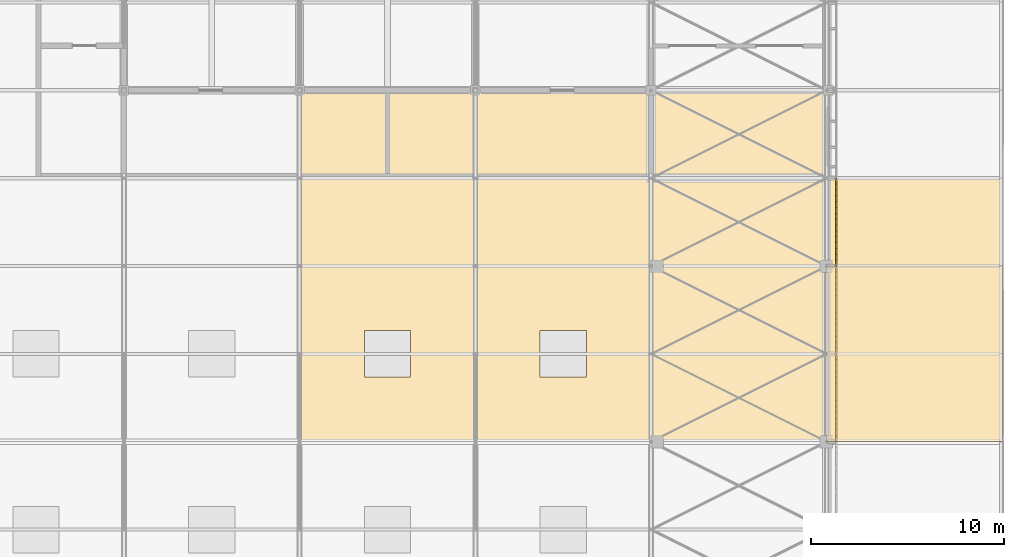
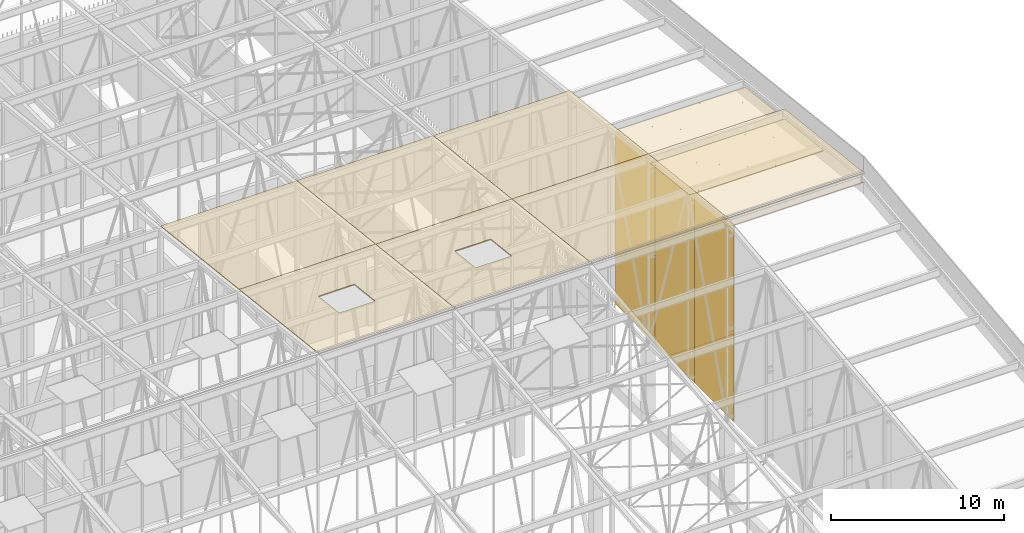
# One storey, part 492 of 500: 10 coverings, 3 shading devices.
"""IFC4 building model written with IfcOpenShell, lengths in metres."""

from ifc_helpers import new_model, si_unit, direction, frame, origin, origin_2d, place, context, subcontext, project, spatial, polyline, rectangle, outline, extrude, material, layer, layer_set, type_object, element, save


model = new_model("IFC4")

# Units and contexts
model_context = context("Model", 3, precision=1e-05, world=origin(), true_north=direction((0.0, 1.0)))
body_context = subcontext(model_context, "Body", "Model", "MODEL_VIEW")
ifc_project = project(units=[si_unit("LENGTHUNIT", "METRE"), si_unit("AREAUNIT", "SQUARE_METRE"), si_unit("VOLUMEUNIT", "CUBIC_METRE"), si_unit("PLANEANGLEUNIT", "RADIAN"), si_unit("MASSUNIT", "GRAM", prefix="KILO")], contexts=[model_context])

# Site, building, storey
site_placement = place(None, origin())
site = spatial("IfcSite", under=ifc_project, at=site_placement, CompositionType="ELEMENT")
building_placement = place(site_placement, origin())
building = spatial("IfcBuilding", under=site, at=building_placement, Name="Shirokan Park Arena", CompositionType="ELEMENT")
storey_placement = place(building_placement, frame((0.0, 0.0, 29.1201171875)))
storey = spatial("IfcBuildingStorey", under=building, at=storey_placement, Name="L06", CompositionType="ELEMENT", Elevation=29.1201171875)

# Coverings
ifc_material_1 = material(Name="Bituminous roofing membrane")
ifc_layer_1 = layer(ifc_material_1, 0.010009765625, Name="Bituminous roofing membrane")
ifc_material_2 = material(Name="Mineral wool insulation")
ifc_layer_2 = layer(ifc_material_2, 0.050048828125, Name="Mineral wool insulation")
ifc_layer_set_1 = layer_set([ifc_layer_1, ifc_layer_2], Name="Bituminous roofing membrane + Mineral wool insulation")
covering_type_1 = type_object("IfcCoveringType", Name="Roofing membrane 60", PredefinedType="ROOFING", material=ifc_layer_set_1)
covering_1_placement = place(storey_placement, frame((118.300048828125, 54.60009765625, 19.170654296875), z_axis=(0.0, 0.113552605302, 0.993531985308), x_axis=(1.0, 0.0, 0.0)))
element("IfcCovering", 1, at=covering_1_placement, inside=storey, type_object=covering_type_1, Name="Roofing", PredefinedType="ROOFING", context=body_context, shape_type="SweptSolid", body=[
    extrude(outline(polyline([(0.0, 0.0), (9.099853515625, 0.0), (9.099853515625, 9.159094674549365), (0.0, 9.159094674549365), (0.0, 0.0)]), holes=[polyline([(5.75, 3.371655970585497), (5.75, 5.7874387039638675), (3.349853515625, 5.7874387039638675), (3.349853515625, 3.371655970585497), (5.75, 3.371655970585497)])]), origin(), (0.0, 0.0, -1.0), 0.06005859375),
])
covering_2_placement = place(storey_placement, frame((118.300048828125, 63.699951171875, 18.130615234375), z_axis=(0.0, 0.113549598152, 0.993532328996), x_axis=(1.0, 0.0, 0.0)))
element("IfcCovering", 2, at=covering_2_placement, inside=storey, type_object=covering_type_1, Name="Roofing", PredefinedType="ROOFING", context=body_context, shape_type="SweptSolid", body=[
    extrude(outline(polyline([(0.0, 0.0), (9.099853515625, 0.0), (9.099853515625, 9.15933723611117), (0.0, 9.15933723611117), (0.0, 0.0)])), origin(), (0.0, 0.0, -1.0), 0.06005859375),
])
covering_3_placement = place(storey_placement, frame((127.39990234375, 54.60009765625, 19.170654296875), z_axis=(0.0, 0.113552605302, 0.993531985308), x_axis=(1.0, 0.0, 0.0)))
element("IfcCovering", 3, at=covering_3_placement, inside=storey, type_object=covering_type_1, Name="Roofing", PredefinedType="ROOFING", context=body_context, shape_type="SweptSolid", body=[
    extrude(outline(polyline([(0.0, 0.0), (9.10009765625, 0.0), (9.10009765625, 9.159094674549367), (0.0, 9.159094674549367), (0.0, 0.0)]), holes=[polyline([(5.75, 3.3716559705854974), (5.75, 5.787438703963868), (3.35009765625, 5.787438703963868), (3.35009765625, 3.3716559705854974), (5.75, 3.3716559705854974)])]), origin(), (0.0, 0.0, -1.0), 0.06005859375),
])
covering_4_placement = place(storey_placement, frame((127.39990234375, 63.699951171875, 18.130615234375), z_axis=(0.0, 0.113549598152, 0.993532328996), x_axis=(1.0, 0.0, 0.0)))
element("IfcCovering", 4, at=covering_4_placement, inside=storey, type_object=covering_type_1, Name="Roofing", PredefinedType="ROOFING", context=body_context, shape_type="SweptSolid", body=[
    extrude(outline(polyline([(0.0, 0.0), (9.10009765625, 0.0), (9.10009765625, 9.15933723611117), (0.0, 9.15933723611117), (0.0, 0.0)])), origin(), (0.0, 0.0, -1.0), 0.06005859375),
])
covering_5_placement = place(storey_placement, frame((136.5, 54.60009765625, 19.170654296875), z_axis=(0.0, 0.113552605302, 0.993531985308), x_axis=(1.0, 0.0, 0.0)))
element("IfcCovering", 5, at=covering_5_placement, inside=storey, type_object=covering_type_1, Name="Roofing", PredefinedType="ROOFING", context=body_context, shape_type="SweptSolid", body=[
    extrude(outline(polyline([(0.0, 0.0), (9.10009765625, 0.0), (9.10009765625, 9.159094674549367), (0.0, 9.159094674549367), (0.0, 0.0)])), origin(), (0.0, 0.0, -1.0), 0.06005859375),
])
covering_6_placement = place(storey_placement, frame((136.5, 63.699951171875, 18.130615234375), z_axis=(0.0, 0.113549598152, 0.993532328996), x_axis=(1.0, 0.0, 0.0)))
element("IfcCovering", 6, at=covering_6_placement, inside=storey, type_object=covering_type_1, Name="Roofing", PredefinedType="ROOFING", context=body_context, shape_type="SweptSolid", body=[
    extrude(outline(polyline([(0.0, 0.0), (9.10009765625, 0.0), (9.10009765625, 9.15933723611117), (0.0, 9.15933723611117), (0.0, 0.0)])), origin(), (0.0, 0.0, -1.0), 0.06005859375),
])
covering_7_placement = place(storey_placement, frame((145.60009765625, 54.60009765625, 19.170654296875), z_axis=(0.0, 0.113552605302, 0.993531985308), x_axis=(1.0, 0.0, 0.0)))
element("IfcCovering", 7, at=covering_7_placement, inside=storey, type_object=covering_type_1, Name="Roofing", PredefinedType="ROOFING", context=body_context, shape_type="SweptSolid", body=[
    extrude(outline(polyline([(0.0, 0.0), (9.099853515625, 0.0), (9.099853515625, 9.159094674549365), (0.0, 9.159094674549365), (0.0, 0.0)])), origin(), (0.0, 0.0, -1.0), 0.06005859375),
])
ifc_material_3 = material(Name="Timber soffit boards (cedar)", Category="wood")
ifc_layer_3 = layer(ifc_material_3, 0.030029296875)
ifc_layer_set_2 = layer_set([ifc_layer_3], Name="Timber soffit boards (cedar) 30 mm")
covering_type_2 = type_object("IfcCoveringType", Name="Timber boarded soffit panel", PredefinedType="CLADDING", material=ifc_layer_set_2)
covering_8_placement = place(storey_placement, origin())
element("IfcCovering", 8, at=covering_8_placement, inside=storey, type_object=covering_type_2, Name="Rake soffit east bay 15", PredefinedType="CLADDING", context=body_context, shape_type="SweptSolid", body=[
    extrude(outline(polyline([(0.0, 0.0), (0.12000000000000455, 0.0), (0.12000000000000455, -4.579617887990218), (0.0, -4.579617887990218), (0.0, 0.0)])), frame((145.846923828125, 54.60009765625, 18.4619140625), z_axis=(0.0, 0.113546591161, 0.993532672656), x_axis=(-1.0, 0.0, 0.0)), (0.0, 0.0, -1.0), 0.030029296875),
    extrude(outline(polyline([(0.0, 0.0), (0.11999999999997613, 0.0), (0.11999999999997613, -4.579617887990217), (0.0, -4.579617887990217), (0.0, 0.0)])), frame((154.580078125, 59.14990234375, 17.94189453125), z_axis=(0.0, 0.113546591161, 0.993532672656), x_axis=(1.0, 0.0, 0.0)), (0.0, 0.0, -1.0), 0.030029296875),
    extrude(outline(polyline([(0.0, 0.0), (0.12078064455863562, 0.0), (0.12078064455863562, -8.733000000000006), (0.0, -8.733000000000006), (0.0, 0.0)])), frame((154.580078125, 59.14990234375, 17.94189453125), z_axis=(0.0, 0.11351156512, 0.993536675007), x_axis=(0.0, -0.993536675007, 0.11351156512)), (0.0, 0.0, -1.0), 0.030029296875),
    extrude(outline(polyline([(0.0, 0.0), (0.12078064455863562, 0.0), (0.12078064455863562, -8.733000000000006), (0.0, -8.733000000000006), (0.0, 0.0)])), frame((145.846923828125, 54.60009765625, 18.4619140625), z_axis=(0.0, 0.11351156512, 0.993536675007), x_axis=(0.0, 0.993536675007, -0.11351156512)), (0.0, 0.0, -1.0), 0.030029296875),
    extrude(outline(polyline([(0.0, 0.0), (8.733000000000004, 0.0), (8.733000000000004, -0.18452428160000803), (0.0, -0.18452428160000803), (0.0, 0.0)])), frame((154.580078125, 54.719970703125, 18.4482421875), z_axis=(0.0, 0.113589386818, 0.99352778079), x_axis=(-1.0, 0.0, 0.0)), (0.0, 0.0, -1.0), 0.030029296875),
    extrude(outline(polyline([(0.0, 0.0), (8.733000000000004, 0.0), (8.733000000000004, -0.30531372586243744), (0.0, -0.30531372586243744), (0.0, 0.0)])), frame((154.580078125, 54.9033203125, 18.42724609375), z_axis=(0.0, 0.113522573877, 0.993535417195), x_axis=(-1.0, 0.0, 0.0)), (0.0, 0.0, -1.0), 0.030029296875),
    extrude(outline(polyline([(0.0, 0.0), (8.733000000000004, 0.0), (8.733000000000004, -0.3053049259347073), (0.0, -0.3053049259347073), (0.0, 0.0)])), frame((154.580078125, 55.206787109375, 18.392578125), z_axis=(0.0, 0.113558600124, 0.99353130013), x_axis=(-1.0, 0.0, 0.0)), (0.0, 0.0, -1.0), 0.030029296875),
    extrude(outline(polyline([(0.0, 0.0), (8.733000000000004, 0.0), (8.733000000000004, -0.3053049259347144), (0.0, -0.3053049259347144), (0.0, 0.0)])), frame((154.580078125, 55.510009765625, 18.35791015625), z_axis=(0.0, 0.113558600124, 0.99353130013), x_axis=(-1.0, 0.0, 0.0)), (0.0, 0.0, -1.0), 0.030029296875),
    extrude(outline(polyline([(0.0, 0.0), (8.733000000000004, 0.0), (8.733000000000004, -0.30531372586243044), (0.0, -0.30531372586243044), (0.0, 0.0)])), frame((154.580078125, 55.813232421875, 18.3232421875), z_axis=(0.0, 0.113522573877, 0.993535417195), x_axis=(-1.0, 0.0, 0.0)), (0.0, 0.0, -1.0), 0.030029296875),
    extrude(outline(polyline([(0.0, 0.0), (8.733000000000004, 0.0), (8.733000000000004, -0.3053049259347144), (0.0, -0.3053049259347144), (0.0, 0.0)])), frame((154.580078125, 56.11669921875, 18.28857421875), z_axis=(0.0, 0.113558600124, 0.99353130013), x_axis=(-1.0, 0.0, 0.0)), (0.0, 0.0, -1.0), 0.030029296875),
    extrude(outline(polyline([(0.0, 0.0), (8.733000000000004, 0.0), (8.733000000000004, -0.3053049259347081), (0.0, -0.3053049259347081), (0.0, 0.0)])), frame((154.580078125, 56.419921875, 18.25390625), z_axis=(0.0, 0.113558600124, 0.99353130013), x_axis=(-1.0, 0.0, 0.0)), (0.0, 0.0, -1.0), 0.030029296875),
    extrude(outline(polyline([(0.0, 0.0), (8.733000000000004, 0.0), (8.733000000000004, -0.3053137258624367), (0.0, -0.3053137258624367), (0.0, 0.0)])), frame((154.580078125, 56.723388671875, 18.21923828125), z_axis=(0.0, 0.113522573877, 0.993535417195), x_axis=(-1.0, 0.0, 0.0)), (0.0, 0.0, -1.0), 0.030029296875),
    extrude(outline(polyline([(0.0, 0.0), (8.733000000000004, 0.0), (8.733000000000004, -0.3053049259347073), (0.0, -0.3053049259347073), (0.0, 0.0)])), frame((154.580078125, 57.026611328125, 18.1845703125), z_axis=(0.0, 0.113558600124, 0.99353130013), x_axis=(-1.0, 0.0, 0.0)), (0.0, 0.0, -1.0), 0.030029296875),
    extrude(outline(polyline([(0.0, 0.0), (8.733000000000004, 0.0), (8.733000000000004, -0.3053049259347152), (0.0, -0.3053049259347152), (0.0, 0.0)])), frame((154.580078125, 57.330078125, 18.14990234375), z_axis=(0.0, 0.113558600124, 0.99353130013), x_axis=(-1.0, 0.0, 0.0)), (0.0, 0.0, -1.0), 0.030029296875),
    extrude(outline(polyline([(0.0, 0.0), (8.733000000000004, 0.0), (8.733000000000004, -0.3053137258624296), (0.0, -0.3053137258624296), (0.0, 0.0)])), frame((154.580078125, 57.63330078125, 18.115234375), z_axis=(0.0, 0.113522573877, 0.993535417195), x_axis=(-1.0, 0.0, 0.0)), (0.0, 0.0, -1.0), 0.030029296875),
    extrude(outline(polyline([(0.0, 0.0), (8.733000000000004, 0.0), (8.733000000000004, -0.3053049259347152), (0.0, -0.3053049259347152), (0.0, 0.0)])), frame((154.580078125, 57.936767578125, 18.08056640625), z_axis=(0.0, 0.113558600124, 0.99353130013), x_axis=(-1.0, 0.0, 0.0)), (0.0, 0.0, -1.0), 0.030029296875),
    extrude(outline(polyline([(0.0, 0.0), (8.733000000000004, 0.0), (8.733000000000004, -0.3053049259347073), (0.0, -0.3053049259347073), (0.0, 0.0)])), frame((154.580078125, 58.239990234375, 18.0458984375), z_axis=(0.0, 0.113558600124, 0.99353130013), x_axis=(-1.0, 0.0, 0.0)), (0.0, 0.0, -1.0), 0.030029296875),
    extrude(outline(polyline([(0.0, 0.0), (8.733000000000004, 0.0), (8.733000000000004, -0.3053137258624367), (0.0, -0.3053137258624367), (0.0, 0.0)])), frame((154.580078125, 58.543212890625, 18.01123046875), z_axis=(0.0, 0.113522573877, 0.993535417195), x_axis=(-1.0, 0.0, 0.0)), (0.0, 0.0, -1.0), 0.030029296875),
    extrude(outline(polyline([(0.0, 0.0), (0.18452428160000886, 0.0), (0.18452428160000886, -8.733000000000004), (0.0, -8.733000000000004), (0.0, 0.0)])), frame((154.580078125, 59.030029296875, 17.95556640625), z_axis=(0.0, 0.113589386818, 0.99352778079), x_axis=(0.0, -0.99352778079, 0.113589386818)), (0.0, 0.0, -1.0), 0.030029296875),
])
covering_9_placement = place(storey_placement, origin())
element("IfcCovering", 9, at=covering_9_placement, inside=storey, type_object=covering_type_2, Name="Rake soffit east bay 16", PredefinedType="CLADDING", context=body_context, shape_type="SweptSolid", body=[
    extrude(outline(polyline([(0.0, 0.0), (0.12000000000000455, 0.0), (0.12000000000000455, -4.579617887990224), (0.0, -4.579617887990224), (0.0, 0.0)])), frame((145.846923828125, 59.14990234375, 17.94189453125), z_axis=(0.0, 0.113546591161, 0.993532672656), x_axis=(-1.0, 0.0, 0.0)), (0.0, 0.0, -1.0), 0.030029296875),
    extrude(outline(polyline([(0.0, 0.0), (0.11999999999997613, 0.0), (0.11999999999997613, -4.579617887990223), (0.0, -4.579617887990223), (0.0, 0.0)])), frame((154.580078125, 63.699951171875, 17.421875), z_axis=(0.0, 0.113546591161, 0.993532672656), x_axis=(1.0, 0.0, 0.0)), (0.0, 0.0, -1.0), 0.030029296875),
    extrude(outline(polyline([(0.0, 0.0), (0.12078064455864188, 0.0), (0.12078064455864188, -8.733000000000004), (0.0, -8.733000000000004), (0.0, 0.0)])), frame((154.580078125, 63.699951171875, 17.421875), z_axis=(0.0, 0.11351156512, 0.993536675007), x_axis=(0.0, -0.993536675007, 0.11351156512)), (0.0, 0.0, -1.0), 0.030029296875),
    extrude(outline(polyline([(0.0, 0.0), (0.12078064455864188, 0.0), (0.12078064455864188, -8.733000000000004), (0.0, -8.733000000000004), (0.0, 0.0)])), frame((145.846923828125, 59.14990234375, 17.94189453125), z_axis=(0.0, 0.11351156512, 0.993536675007), x_axis=(0.0, 0.993536675007, -0.11351156512)), (0.0, 0.0, -1.0), 0.030029296875),
    extrude(outline(polyline([(0.0, 0.0), (8.733000000000004, 0.0), (8.733000000000004, -0.18452428160000886), (0.0, -0.18452428160000886), (0.0, 0.0)])), frame((154.580078125, 59.27001953125, 17.92822265625), z_axis=(0.0, 0.113589386818, 0.99352778079), x_axis=(-1.0, 0.0, 0.0)), (0.0, 0.0, -1.0), 0.030029296875),
    extrude(outline(polyline([(0.0, 0.0), (8.733000000000004, 0.0), (8.733000000000004, -0.30531372586243044), (0.0, -0.30531372586243044), (0.0, 0.0)])), frame((154.580078125, 59.453369140625, 17.9072265625), z_axis=(0.0, 0.113522573877, 0.993535417195), x_axis=(-1.0, 0.0, 0.0)), (0.0, 0.0, -1.0), 0.030029296875),
    extrude(outline(polyline([(0.0, 0.0), (8.733000000000004, 0.0), (8.733000000000004, -0.30530492593471437), (0.0, -0.30530492593471437), (0.0, 0.0)])), frame((154.580078125, 59.756591796875, 17.87255859375), z_axis=(0.0, 0.113558600124, 0.99353130013), x_axis=(-1.0, 0.0, 0.0)), (0.0, 0.0, -1.0), 0.030029296875),
    extrude(outline(polyline([(0.0, 0.0), (8.733000000000004, 0.0), (8.733000000000004, -0.3053049259347073), (0.0, -0.3053049259347073), (0.0, 0.0)])), frame((154.580078125, 60.06005859375, 17.837890625), z_axis=(0.0, 0.113558600124, 0.99353130013), x_axis=(-1.0, 0.0, 0.0)), (0.0, 0.0, -1.0), 0.030029296875),
    extrude(outline(polyline([(0.0, 0.0), (8.733000000000004, 0.0), (8.733000000000004, -0.3053137258624375), (0.0, -0.3053137258624375), (0.0, 0.0)])), frame((154.580078125, 60.36328125, 17.80322265625), z_axis=(0.0, 0.113522573877, 0.993535417195), x_axis=(-1.0, 0.0, 0.0)), (0.0, 0.0, -1.0), 0.030029296875),
    extrude(outline(polyline([(0.0, 0.0), (8.733000000000004, 0.0), (8.733000000000004, -0.3053049259347073), (0.0, -0.3053049259347073), (0.0, 0.0)])), frame((154.580078125, 60.666748046875, 17.7685546875), z_axis=(0.0, 0.113558600124, 0.99353130013), x_axis=(-1.0, 0.0, 0.0)), (0.0, 0.0, -1.0), 0.030029296875),
    extrude(outline(polyline([(0.0, 0.0), (8.733000000000004, 0.0), (8.733000000000004, -0.30530492593471437), (0.0, -0.30530492593471437), (0.0, 0.0)])), frame((154.580078125, 60.969970703125, 17.73388671875), z_axis=(0.0, 0.113558600124, 0.99353130013), x_axis=(-1.0, 0.0, 0.0)), (0.0, 0.0, -1.0), 0.030029296875),
    extrude(outline(polyline([(0.0, 0.0), (8.733000000000004, 0.0), (8.733000000000004, -0.30531372586243044), (0.0, -0.30531372586243044), (0.0, 0.0)])), frame((154.580078125, 61.2734375, 17.69921875), z_axis=(0.0, 0.113522573877, 0.993535417195), x_axis=(-1.0, 0.0, 0.0)), (0.0, 0.0, -1.0), 0.030029296875),
    extrude(outline(polyline([(0.0, 0.0), (8.733000000000004, 0.0), (8.733000000000004, -0.30530492593471437), (0.0, -0.30530492593471437), (0.0, 0.0)])), frame((154.580078125, 61.57666015625, 17.66455078125), z_axis=(0.0, 0.113558600124, 0.99353130013), x_axis=(-1.0, 0.0, 0.0)), (0.0, 0.0, -1.0), 0.030029296875),
    extrude(outline(polyline([(0.0, 0.0), (8.733000000000004, 0.0), (8.733000000000004, -0.3053049259347073), (0.0, -0.3053049259347073), (0.0, 0.0)])), frame((154.580078125, 61.8798828125, 17.6298828125), z_axis=(0.0, 0.113558600124, 0.99353130013), x_axis=(-1.0, 0.0, 0.0)), (0.0, 0.0, -1.0), 0.030029296875),
    extrude(outline(polyline([(0.0, 0.0), (8.733000000000004, 0.0), (8.733000000000004, -0.30531372586243044), (0.0, -0.30531372586243044), (0.0, 0.0)])), frame((154.580078125, 62.183349609375, 17.59521484375), z_axis=(0.0, 0.113522573877, 0.993535417195), x_axis=(-1.0, 0.0, 0.0)), (0.0, 0.0, -1.0), 0.030029296875),
    extrude(outline(polyline([(0.0, 0.0), (8.733000000000004, 0.0), (8.733000000000004, -0.30530492593471437), (0.0, -0.30530492593471437), (0.0, 0.0)])), frame((154.580078125, 62.486572265625, 17.560546875), z_axis=(0.0, 0.113558600124, 0.99353130013), x_axis=(-1.0, 0.0, 0.0)), (0.0, 0.0, -1.0), 0.030029296875),
    extrude(outline(polyline([(0.0, 0.0), (8.733000000000004, 0.0), (8.733000000000004, -0.30530492593471437), (0.0, -0.30530492593471437), (0.0, 0.0)])), frame((154.580078125, 62.7900390625, 17.52587890625), z_axis=(0.0, 0.113558600124, 0.99353130013), x_axis=(-1.0, 0.0, 0.0)), (0.0, 0.0, -1.0), 0.030029296875),
    extrude(outline(polyline([(0.0, 0.0), (8.733000000000004, 0.0), (8.733000000000004, -0.30531372586243044), (0.0, -0.30531372586243044), (0.0, 0.0)])), frame((154.580078125, 63.09326171875, 17.4912109375), z_axis=(0.0, 0.113522573877, 0.993535417195), x_axis=(-1.0, 0.0, 0.0)), (0.0, 0.0, -1.0), 0.030029296875),
    extrude(outline(polyline([(0.0, 0.0), (0.18452428160000886, 0.0), (0.18452428160000886, -8.733000000000004), (0.0, -8.733000000000004), (0.0, 0.0)])), frame((154.580078125, 63.580078125, 17.435546875), z_axis=(0.0, 0.113589386818, 0.99352778079), x_axis=(0.0, -0.99352778079, 0.113589386818)), (0.0, 0.0, -1.0), 0.030029296875),
])
covering_10_placement = place(storey_placement, origin())
element("IfcCovering", 10, at=covering_10_placement, inside=storey, type_object=covering_type_2, Name="Rake soffit east bay 17", PredefinedType="CLADDING", context=body_context, shape_type="SweptSolid", body=[
    extrude(outline(polyline([(0.0, 0.0), (0.12000000000000455, 0.0), (0.12000000000000455, -4.579617887990218), (0.0, -4.579617887990218), (0.0, 0.0)])), frame((145.846923828125, 63.699951171875, 17.421875), z_axis=(0.0, 0.113546591161, 0.993532672656), x_axis=(-1.0, 0.0, 0.0)), (0.0, 0.0, -1.0), 0.030029296875),
    extrude(outline(polyline([(0.0, 0.0), (0.11999999999997613, 0.0), (0.11999999999997613, -4.579617887990217), (0.0, -4.579617887990217), (0.0, 0.0)])), frame((154.580078125, 68.25, 16.90185546875), z_axis=(0.0, 0.113546591161, 0.993532672656), x_axis=(1.0, 0.0, 0.0)), (0.0, 0.0, -1.0), 0.030029296875),
    extrude(outline(polyline([(0.0, 0.0), (0.12078064455864267, 0.0), (0.12078064455864267, -8.733000000000004), (0.0, -8.733000000000004), (0.0, 0.0)])), frame((154.580078125, 68.25, 16.90185546875), z_axis=(0.0, 0.11351156512, 0.993536675007), x_axis=(0.0, -0.993536675007, 0.11351156512)), (0.0, 0.0, -1.0), 0.030029296875),
    extrude(outline(polyline([(0.0, 0.0), (0.12078064455863562, 0.0), (0.12078064455863562, -8.733000000000006), (0.0, -8.733000000000006), (0.0, 0.0)])), frame((145.846923828125, 63.699951171875, 17.421875), z_axis=(0.0, 0.11351156512, 0.993536675007), x_axis=(0.0, 0.993536675007, -0.11351156512)), (0.0, 0.0, -1.0), 0.030029296875),
    extrude(outline(polyline([(0.0, 0.0), (8.733000000000004, 0.0), (8.733000000000004, -0.18452428160001508), (0.0, -0.18452428160001508), (0.0, 0.0)])), frame((154.580078125, 63.820068359375, 17.408203125), z_axis=(0.0, 0.113589386818, 0.99352778079), x_axis=(-1.0, 0.0, 0.0)), (0.0, 0.0, -1.0), 0.030029296875),
    extrude(outline(polyline([(0.0, 0.0), (8.733000000000004, 0.0), (8.733000000000004, -0.30531372586242334), (0.0, -0.30531372586242334), (0.0, 0.0)])), frame((154.580078125, 64.00341796875, 17.38720703125), z_axis=(0.0, 0.113522573877, 0.993535417195), x_axis=(-1.0, 0.0, 0.0)), (0.0, 0.0, -1.0), 0.030029296875),
    extrude(outline(polyline([(0.0, 0.0), (8.733000000000004, 0.0), (8.733000000000004, -0.30530492593471437), (0.0, -0.30530492593471437), (0.0, 0.0)])), frame((154.580078125, 64.306640625, 17.3525390625), z_axis=(0.0, 0.113558600124, 0.99353130013), x_axis=(-1.0, 0.0, 0.0)), (0.0, 0.0, -1.0), 0.030029296875),
    extrude(outline(polyline([(0.0, 0.0), (8.733000000000004, 0.0), (8.733000000000004, -0.30530492593471514), (0.0, -0.30530492593471514), (0.0, 0.0)])), frame((154.580078125, 64.610107421875, 17.31787109375), z_axis=(0.0, 0.113558600124, 0.99353130013), x_axis=(-1.0, 0.0, 0.0)), (0.0, 0.0, -1.0), 0.030029296875),
    extrude(outline(polyline([(0.0, 0.0), (8.733000000000004, 0.0), (8.733000000000004, -0.30531372586242256), (0.0, -0.30531372586242256), (0.0, 0.0)])), frame((154.580078125, 64.913330078125, 17.283203125), z_axis=(0.0, 0.113522573877, 0.993535417195), x_axis=(-1.0, 0.0, 0.0)), (0.0, 0.0, -1.0), 0.030029296875),
    extrude(outline(polyline([(0.0, 0.0), (8.733000000000004, 0.0), (8.733000000000004, -0.30530492593471437), (0.0, -0.30530492593471437), (0.0, 0.0)])), frame((154.580078125, 65.216552734375, 17.24853515625), z_axis=(0.0, 0.113558600124, 0.99353130013), x_axis=(-1.0, 0.0, 0.0)), (0.0, 0.0, -1.0), 0.030029296875),
    extrude(outline(polyline([(0.0, 0.0), (8.733000000000004, 0.0), (8.733000000000004, -0.3053049259347152), (0.0, -0.3053049259347152), (0.0, 0.0)])), frame((154.580078125, 65.52001953125, 17.2138671875), z_axis=(0.0, 0.113558600124, 0.99353130013), x_axis=(-1.0, 0.0, 0.0)), (0.0, 0.0, -1.0), 0.030029296875),
    extrude(outline(polyline([(0.0, 0.0), (8.733000000000004, 0.0), (8.733000000000004, -0.30531372586243666), (0.0, -0.30531372586243666), (0.0, 0.0)])), frame((154.580078125, 65.8232421875, 17.17919921875), z_axis=(0.0, 0.113522573877, 0.993535417195), x_axis=(-1.0, 0.0, 0.0)), (0.0, 0.0, -1.0), 0.030029296875),
    extrude(outline(polyline([(0.0, 0.0), (8.733000000000004, 0.0), (8.733000000000004, -0.3053049259347152), (0.0, -0.3053049259347152), (0.0, 0.0)])), frame((154.580078125, 66.126708984375, 17.14453125), z_axis=(0.0, 0.113558600124, 0.99353130013), x_axis=(-1.0, 0.0, 0.0)), (0.0, 0.0, -1.0), 0.030029296875),
    extrude(outline(polyline([(0.0, 0.0), (8.733000000000004, 0.0), (8.733000000000004, -0.30530492593470027), (0.0, -0.30530492593470027), (0.0, 0.0)])), frame((154.580078125, 66.429931640625, 17.10986328125), z_axis=(0.0, 0.113558600124, 0.99353130013), x_axis=(-1.0, 0.0, 0.0)), (0.0, 0.0, -1.0), 0.030029296875),
    extrude(outline(polyline([(0.0, 0.0), (8.733000000000004, 0.0), (8.733000000000004, -0.3053137258624367), (0.0, -0.3053137258624367), (0.0, 0.0)])), frame((154.580078125, 66.7333984375, 17.0751953125), z_axis=(0.0, 0.113522573877, 0.993535417195), x_axis=(-1.0, 0.0, 0.0)), (0.0, 0.0, -1.0), 0.030029296875),
    extrude(outline(polyline([(0.0, 0.0), (8.733000000000004, 0.0), (8.733000000000004, -0.30530492593471514), (0.0, -0.30530492593471514), (0.0, 0.0)])), frame((154.580078125, 67.03662109375, 17.04052734375), z_axis=(0.0, 0.113558600124, 0.99353130013), x_axis=(-1.0, 0.0, 0.0)), (0.0, 0.0, -1.0), 0.030029296875),
    extrude(outline(polyline([(0.0, 0.0), (8.733000000000004, 0.0), (8.733000000000004, -0.30530492593471437), (0.0, -0.30530492593471437), (0.0, 0.0)])), frame((154.580078125, 67.340087890625, 17.005859375), z_axis=(0.0, 0.113558600124, 0.99353130013), x_axis=(-1.0, 0.0, 0.0)), (0.0, 0.0, -1.0), 0.030029296875),
    extrude(outline(polyline([(0.0, 0.0), (8.733000000000004, 0.0), (8.733000000000004, -0.30531372586242334), (0.0, -0.30531372586242334), (0.0, 0.0)])), frame((154.580078125, 67.643310546875, 16.97119140625), z_axis=(0.0, 0.113522573877, 0.993535417195), x_axis=(-1.0, 0.0, 0.0)), (0.0, 0.0, -1.0), 0.030029296875),
    extrude(outline(polyline([(0.0, 0.0), (0.18452428160000803, 0.0), (0.18452428160000803, -8.733000000000004), (0.0, -8.733000000000004), (0.0, 0.0)])), frame((154.580078125, 68.1298828125, 16.91552734375), z_axis=(0.0, 0.113589386818, 0.99352778079), x_axis=(0.0, -0.99352778079, 0.113589386818)), (0.0, 0.0, -1.0), 0.030029296875),
])

# Shading devices
ifc_material_4 = material(Name="Timber louvre veil (cedar)", Category="wood")
shading_device_type = type_object("IfcShadingDeviceType", Name="Timber louvre veil panel, gable band, closed", PredefinedType="JALOUSIE", material=ifc_material_4)
shading_device_1_placement = place(storey_placement, origin())
element("IfcShadingDevice", 11, at=shading_device_1_placement, inside=storey, type_object=shading_device_type, Name="Timber louvre veil gable band east bay 15", PredefinedType="JALOUSIE", context=body_context, shape_type="SweptSolid", body=[
    extrude(outline(polyline([(59.14990234375, 4.575927734375), (59.14990234375, 17.911865234375), (58.8466796875, 17.911865234375), (58.8466796875, 17.946533203125), (58.543212890625, 17.946533203125), (58.543212890625, 17.981201171875), (58.239990234375, 17.981201171875), (58.239990234375, 18.015869140625), (57.936767578125, 18.015869140625), (57.936767578125, 18.050537109375), (57.63330078125, 18.050537109375), (57.63330078125, 18.085205078125), (57.330078125, 18.085205078125), (57.330078125, 18.119873046875), (57.026611328125, 18.119873046875), (57.026611328125, 18.154541015625), (56.723388671875, 18.154541015625), (56.723388671875, 18.189208984375), (56.419921875, 18.189208984375), (56.419921875, 18.223876953125), (56.11669921875, 18.223876953125), (56.11669921875, 18.258544921875), (55.813232421875, 18.258544921875), (55.813232421875, 18.293212890625), (55.510009765625, 18.293212890625), (55.510009765625, 18.327880859375), (55.206787109375, 18.327880859375), (55.206787109375, 18.362548828125), (54.9033203125, 18.362548828125), (54.9033203125, 18.397216796875), (54.60009765625, 18.397216796875), (54.60009765625, 4.575927734375), (59.14990234375, 4.575927734375)])), frame((146.044921875, 0.0, 0.0), z_axis=(1.0, 0.0, 0.0), x_axis=(0.0, 1.0, 0.0)), (0.0, 0.0, 1.0), 0.080078125),
    extrude(rectangle(XDim=0.050048828125, YDim=4.550048828125, at=origin_2d()), frame((146.070068359375, 56.875, 4.98583984375), z_axis=(0.0, 0.0, 1.0), x_axis=(1.0, 0.0, 0.0)), (0.0, 0.0, 1.0), 0.080078125),
    extrude(rectangle(XDim=0.050048828125, YDim=4.550048828125, at=origin_2d()), frame((146.070068359375, 56.875, 11.203857421875), z_axis=(0.0, 0.0, 1.0), x_axis=(1.0, 0.0, 0.0)), (0.0, 0.0, 1.0), 0.080078125),
    extrude(rectangle(XDim=0.050048828125, YDim=4.550048828125, at=origin_2d()), frame((146.070068359375, 56.875, 17.771728515625), z_axis=(0.0, 0.0, 1.0), x_axis=(1.0, 0.0, 0.0)), (0.0, 0.0, 1.0), 0.080078125),
])
shading_device_2_placement = place(storey_placement, origin())
element("IfcShadingDevice", 12, at=shading_device_2_placement, inside=storey, type_object=shading_device_type, Name="Timber louvre veil gable band east bay 16", PredefinedType="JALOUSIE", context=body_context, shape_type="SweptSolid", body=[
    extrude(outline(polyline([(63.699951171875, 4.575927734375), (63.699951171875, 17.391845703125), (63.396728515625, 17.391845703125), (63.396728515625, 17.426513671875), (63.09326171875, 17.426513671875), (63.09326171875, 17.461181640625), (62.7900390625, 17.461181640625), (62.7900390625, 17.495849609375), (62.486572265625, 17.495849609375), (62.486572265625, 17.530517578125), (62.183349609375, 17.530517578125), (62.183349609375, 17.565185546875), (61.8798828125, 17.565185546875), (61.8798828125, 17.599853515625), (61.57666015625, 17.599853515625), (61.57666015625, 17.634521484375), (61.2734375, 17.634521484375), (61.2734375, 17.669189453125), (60.969970703125, 17.669189453125), (60.969970703125, 17.703857421875), (60.666748046875, 17.703857421875), (60.666748046875, 17.738525390625), (60.36328125, 17.738525390625), (60.36328125, 17.773193359375), (60.06005859375, 17.773193359375), (60.06005859375, 17.807861328125), (59.756591796875, 17.807861328125), (59.756591796875, 17.842529296875), (59.453369140625, 17.842529296875), (59.453369140625, 17.877197265625), (59.14990234375, 17.877197265625), (59.14990234375, 4.575927734375), (63.699951171875, 4.575927734375)])), frame((146.044921875, 0.0, 0.0), z_axis=(1.0, 0.0, 0.0), x_axis=(0.0, 1.0, 0.0)), (0.0, 0.0, 1.0), 0.080078125),
    extrude(rectangle(XDim=0.050048828125, YDim=4.550048828125, at=origin_2d()), frame((146.070068359375, 61.425048828125, 4.98583984375), z_axis=(0.0, 0.0, 1.0), x_axis=(1.0, 0.0, 0.0)), (0.0, 0.0, 1.0), 0.080078125),
    extrude(rectangle(XDim=0.050048828125, YDim=4.550048828125, at=origin_2d()), frame((146.070068359375, 61.425048828125, 10.94384765625), z_axis=(0.0, 0.0, 1.0), x_axis=(1.0, 0.0, 0.0)), (0.0, 0.0, 1.0), 0.080078125),
    extrude(rectangle(XDim=0.050048828125, YDim=4.550048828125, at=origin_2d()), frame((146.070068359375, 61.425048828125, 17.251953125), z_axis=(0.0, 0.0, 1.0), x_axis=(1.0, 0.0, 0.0)), (0.0, 0.0, 1.0), 0.080078125),
])
shading_device_3_placement = place(storey_placement, origin())
element("IfcShadingDevice", 13, at=shading_device_3_placement, inside=storey, type_object=shading_device_type, Name="Timber louvre veil gable band east bay 17", PredefinedType="JALOUSIE", context=body_context, shape_type="SweptSolid", body=[
    extrude(outline(polyline([(68.25, 4.575927734375), (68.25, 16.871826171875), (67.94677734375, 16.871826171875), (67.94677734375, 16.906494140625), (67.643310546875, 16.906494140625), (67.643310546875, 16.941162109375), (67.340087890625, 16.941162109375), (67.340087890625, 16.975830078125), (67.03662109375, 16.975830078125), (67.03662109375, 17.010498046875), (66.7333984375, 17.010498046875), (66.7333984375, 17.045166015625), (66.429931640625, 17.045166015625), (66.429931640625, 17.079833984375), (66.126708984375, 17.079833984375), (66.126708984375, 17.114501953125), (65.8232421875, 17.114501953125), (65.8232421875, 17.149169921875), (65.52001953125, 17.149169921875), (65.52001953125, 17.183837890625), (65.216552734375, 17.183837890625), (65.216552734375, 17.218505859375), (64.913330078125, 17.218505859375), (64.913330078125, 17.253173828125), (64.610107421875, 17.253173828125), (64.610107421875, 17.287841796875), (64.306640625, 17.287841796875), (64.306640625, 17.322509765625), (64.00341796875, 17.322509765625), (64.00341796875, 17.357177734375), (63.699951171875, 17.357177734375), (63.699951171875, 4.575927734375), (68.25, 4.575927734375)])), frame((146.044921875, 0.0, 0.0), z_axis=(1.0, 0.0, 0.0), x_axis=(0.0, 1.0, 0.0)), (0.0, 0.0, 1.0), 0.080078125),
    extrude(rectangle(XDim=0.050048828125, YDim=4.550048828125, at=origin_2d()), frame((146.070068359375, 65.97509765625, 4.98583984375), z_axis=(0.0, 0.0, 1.0), x_axis=(1.0, 0.0, 0.0)), (0.0, 0.0, 1.0), 0.080078125),
    extrude(rectangle(XDim=0.050048828125, YDim=4.550048828125, at=origin_2d()), frame((146.070068359375, 65.97509765625, 10.683837890625), z_axis=(0.0, 0.0, 1.0), x_axis=(1.0, 0.0, 0.0)), (0.0, 0.0, 1.0), 0.080078125),
    extrude(rectangle(XDim=0.050048828125, YDim=4.550048828125, at=origin_2d()), frame((146.070068359375, 65.97509765625, 16.73193359375), z_axis=(0.0, 0.0, 1.0), x_axis=(1.0, 0.0, 0.0)), (0.0, 0.0, 1.0), 0.080078125),
])

save(model, "model.ifc")
